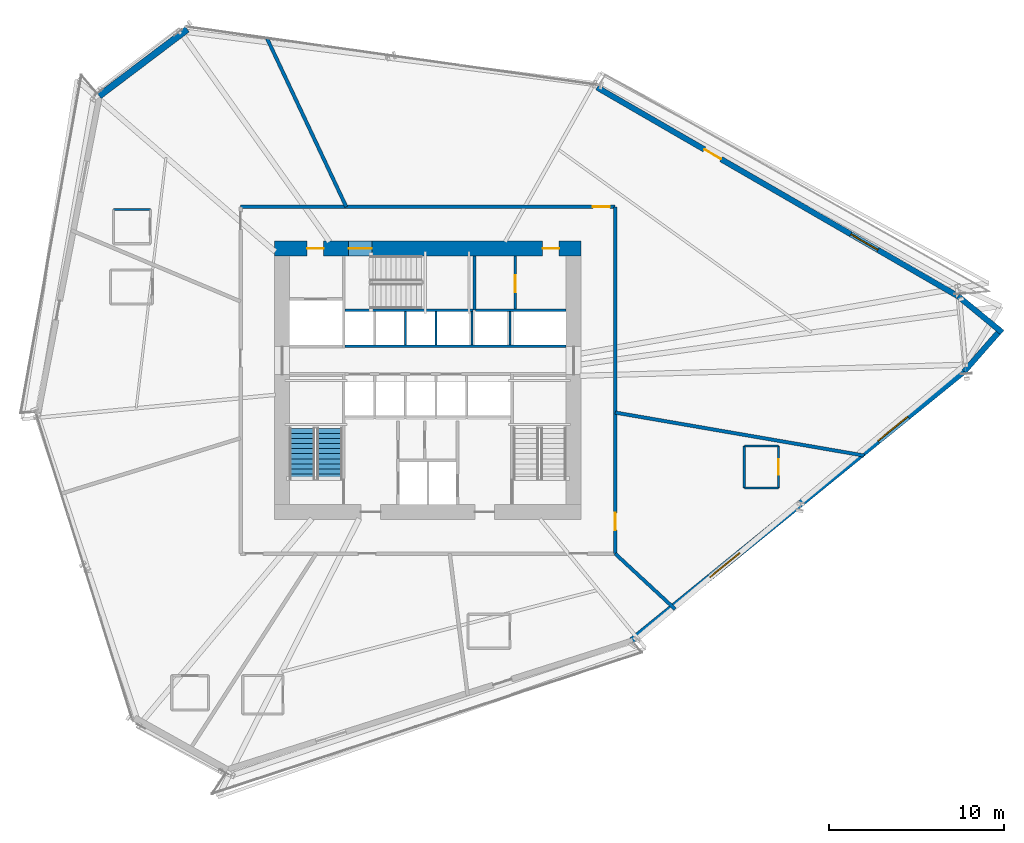
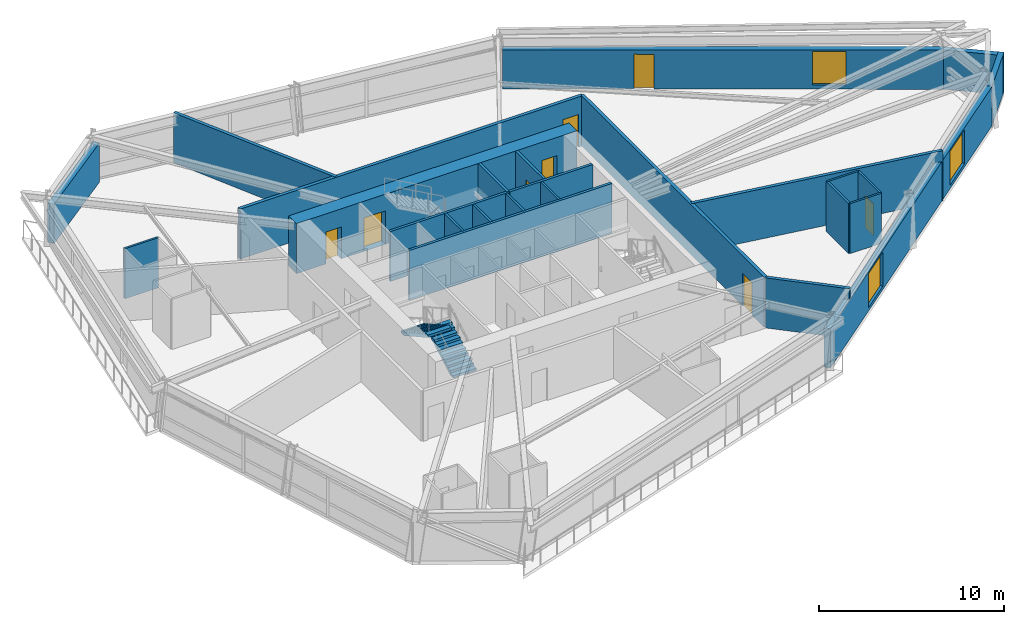
# One storey, part 17 of 21: 25 walls, 8 doors, 3 windows, 2 stair flights, 11 openings, 1 element without a shape of its own.
"""IFC4 building model written with IfcOpenShell, lengths in metres."""

from ifc_helpers import new_model, si_unit, direction, frame, frame_2d, origin, place, context, subcontext, project, spatial, polyline, rectangle, outline, extrude, source, transform, mapped, material, layer, layer_set, type_object, type_shapes, element, fill, aggregate, save


model = new_model("IFC4")

# Units and contexts
model_context = context("Model", 3, precision=1e-05, world=origin(), true_north=direction((0.0, 1.0)))
body_context = subcontext(model_context, "Body", "Model", "MODEL_VIEW")
ifc_project = project(units=[si_unit("LENGTHUNIT", "METRE"), si_unit("AREAUNIT", "SQUARE_METRE"), si_unit("VOLUMEUNIT", "CUBIC_METRE"), si_unit("PLANEANGLEUNIT", "RADIAN"), si_unit("MASSUNIT", "GRAM", prefix="KILO")], contexts=[model_context])

# Site, building, storey
site_placement = place(None, origin())
site = spatial("IfcSite", under=ifc_project, at=site_placement, CompositionType="ELEMENT")
building_placement = place(site_placement, origin())
building = spatial("IfcBuilding", under=site, at=building_placement, Name="Olszyna Solenne Hotel", CompositionType="ELEMENT")
storey_placement = place(building_placement, frame((0.0, 0.0, 54.14990234375)))
storey = spatial("IfcBuildingStorey", under=building, at=storey_placement, Name="L13", CompositionType="ELEMENT", Elevation=54.14990234375)

# Wall, openings, doors
ifc_material_1 = material(Name="Concrete C60/75", Category="concrete")
ifc_layer_1 = layer(ifc_material_1, 0.85009765625, Name="Concrete C60/75")
ifc_layer_set_1 = layer_set([ifc_layer_1], Name="Concrete C60/75")
wall_type_1 = type_object("IfcWallType", Name="WL-CR850", PredefinedType="SHEAR", material=ifc_layer_set_1)
wall_1_placement = place(storey_placement, frame((29.25, 34.125, 0.0), z_axis=(0.0, 0.0, 1.0), x_axis=(1.0, 0.0, 0.0)))
wall_1 = element("IfcWall", 1, at=wall_1_placement, inside=storey, type_object=wall_type_1, Name="Core shear wall WL-CR850 CRW-L13-N", PredefinedType="SHEAR", context=body_context, shape_type="SweptSolid", body=[
    extrude(rectangle(XDim=17.5, YDim=0.85009765625, at=frame_2d((8.75, 0.0))), origin(), (0.0, 0.0, 1.0), 3.300048828125),
])
opening_1_placement = place(wall_1_placement, frame((1.85009765625, 0.0, 0.0)))
opening_1 = element("IfcOpeningElement", 2, at=opening_1_placement, cuts=wall_1, Name="Opening SVD-L13-01", PredefinedType="OPENING", context=body_context, shape_type="SweptSolid", body=[
    extrude(rectangle(XDim=0.949951171875, YDim=2.10009765625, at=frame_2d((0.47509765625, 1.050048828125))), frame((0.0, 0.43505859375, 0.0), z_axis=(0.0, -1.0, 0.0), x_axis=(1.0, 0.0, 0.0)), (0.0, 0.0, 1.0), 0.8701171875),
])
opening_2_placement = place(wall_1_placement, frame((4.22998046875, 0.0, 0.0)))
opening_2 = element("IfcOpeningElement", 3, at=opening_2_placement, cuts=wall_1, Name="Opening STD-L13-03", PredefinedType="OPENING", context=body_context, shape_type="SweptSolid", body=[
    extrude(rectangle(XDim=1.320068359375, YDim=2.199951171875, at=frame_2d((0.66015625, 1.10009765625))), frame((0.0, 0.43505859375, 0.0), z_axis=(0.0, -1.0, 0.0), x_axis=(1.0, 0.0, 0.0)), (0.0, 0.0, 1.0), 0.8701171875),
])
opening_3_placement = place(wall_1_placement, frame((15.300048828125, 0.0, 0.0)))
opening_3 = element("IfcOpeningElement", 4, at=opening_3_placement, cuts=wall_1, Name="Opening SVD-L13-BN", PredefinedType="OPENING", context=body_context, shape_type="SweptSolid", body=[
    extrude(rectangle(XDim=0.949951171875, YDim=2.10009765625, at=frame_2d((0.47509765625, 1.050048828125))), frame((0.0, 0.43505859375, 0.0), z_axis=(0.0, -1.0, 0.0), x_axis=(1.0, 0.0, 0.0)), (0.0, 0.0, 1.0), 0.8701171875),
])
ifc_material_2 = material(Name="Steel S355J2", Category="steel")
door_type_1 = type_object("IfcDoorType", Name="DR-ST1", OperationType="NOTDEFINED", PredefinedType="DOOR", material=ifc_material_2)
shared_shape_1 = source(origin(), body_context, "Body", "SweptSolid", [
    extrude(rectangle(XDim=1.320068359375, YDim=2.199951171875, at=frame_2d((0.66015625, 1.10009765625))), frame((0.0, 0.02490234375, 0.0), z_axis=(0.0, -1.0, 0.0), x_axis=(1.0, 0.0, 0.0)), (0.0, 0.0, 1.0), 0.050048828125),
])
type_shapes(door_type_1, [shared_shape_1])
door_1_placement = place(opening_2_placement, origin())
door_1 = element("IfcDoor", 5, at=door_1_placement, inside=storey, type_object=door_type_1, Name="Pressurised exit stair ST3 fire door STD-L13-03", OperationType="SINGLE_SWING_RIGHT", OverallHeight=2.199951171875, OverallWidth=1.320068359375, PredefinedType="DOOR", context=body_context, shape_type="MappedRepresentation", body=[
    mapped(shared_shape_1, transform((0.0, 0.0, 0.0), x_axis=(1.0, 0.0, 0.0), y_axis=(0.0, 1.0, 0.0), z_axis=(0.0, 0.0, 1.0), scale=1.0)),
])
fill(opening_2, door_1)
door_type_2 = type_object("IfcDoorType", Name="DR-SV1", OperationType="NOTDEFINED", PredefinedType="DOOR", material=ifc_material_2)
shared_shape_2 = source(origin(), body_context, "Body", "SweptSolid", [
    extrude(rectangle(XDim=0.949951171875, YDim=2.10009765625, at=frame_2d((0.47509765625, 1.050048828125))), frame((0.0, 0.02490234375, 0.0), z_axis=(0.0, -1.0, 0.0), x_axis=(1.0, 0.0, 0.0)), (0.0, 0.0, 1.0), 0.050048828125),
])
type_shapes(door_type_2, [shared_shape_2])
door_2_placement = place(opening_1_placement, origin())
door_2 = element("IfcDoor", 6, at=door_2_placement, inside=storey, type_object=door_type_2, Name="Service lift lobby fire door SVD-L13-01", OperationType="SINGLE_SWING_LEFT", OverallHeight=2.10009765625, OverallWidth=0.949951171875, PredefinedType="DOOR", context=body_context, shape_type="MappedRepresentation", body=[
    mapped(shared_shape_2, transform((0.0, 0.0, 0.0), x_axis=(1.0, 0.0, 0.0), y_axis=(0.0, 1.0, 0.0), z_axis=(0.0, 0.0, 1.0), scale=1.0)),
])
fill(opening_1, door_2)
door_3_placement = place(opening_3_placement, origin())
door_3 = element("IfcDoor", 7, at=door_3_placement, inside=storey, type_object=door_type_2, Name="Housekeeping core fire door SVD-L13-BN", OperationType="SINGLE_SWING_LEFT", OverallHeight=2.10009765625, OverallWidth=0.949951171875, PredefinedType="DOOR", context=body_context, shape_type="MappedRepresentation", body=[
    mapped(shared_shape_2, transform((0.0, 0.0, 0.0), x_axis=(1.0, 0.0, 0.0), y_axis=(0.0, 1.0, 0.0), z_axis=(0.0, 0.0, 1.0), scale=1.0)),
])
fill(opening_3, door_3)

# Wall, openings, door, window
ifc_material_3 = material(Name="Precast concrete C45/55", Category="concrete")
ifc_layer_2 = layer(ifc_material_3, 0.320068359375, Name="Precast concrete C45/55")
ifc_layer_set_2 = layer_set([ifc_layer_2], Name="Precast concrete C45/55")
wall_type_2 = type_object("IfcWallType", Name="WL-EX320", PredefinedType="SOLIDWALL", material=ifc_layer_set_2)
wall_2_placement = place(storey_placement, frame((47.667724609375, 43.32080078125, 0.0), z_axis=(0.0, 0.0, 1.0), x_axis=(0.865638001519, -0.500670400888, 0.0)))
wall_2 = element("IfcWall", 8, at=wall_2_placement, inside=storey, type_object=wall_type_2, Name="Exterior terracotta-precast frame wall WL-EX320 EW-L13-07", PredefinedType="SOLIDWALL", context=body_context, shape_type="SweptSolid", body=[
    extrude(rectangle(XDim=23.834228515625, YDim=0.320068359375, at=frame_2d((11.9169921875, 0.0))), origin(), (0.0, 0.0, 1.0), 2.592041015625),
])
opening_4_placement = place(wall_2_placement, frame((7.076904296875, 0.0, 0.0)))
opening_4 = element("IfcOpeningElement", 9, at=opening_4_placement, cuts=wall_2, Name="Opening LDG-L13-1", PredefinedType="OPENING", context=body_context, shape_type="SweptSolid", body=[
    extrude(rectangle(XDim=1.10009765625, YDim=2.300048828125, at=frame_2d((0.550048828125, 1.14990234375))), frame((0.0, 0.169921875, 0.0), z_axis=(0.0, -1.0, 0.0), x_axis=(1.0, 0.0, 0.0)), (0.0, 0.0, 1.0), 0.340087890625),
])
opening_5_placement = place(wall_2_placement, frame((16.737060546875, 0.0, 0.27197265625)))
opening_5 = element("IfcOpeningElement", 10, at=opening_5_placement, cuts=wall_2, Name="Opening WN-L13-059", PredefinedType="OPENING", context=body_context, shape_type="SweptSolid", body=[
    extrude(rectangle(XDim=1.800048828125, YDim=2.199951171875, at=frame_2d((0.89990234375, 1.10009765625))), frame((0.0, 0.169921875, 0.0), z_axis=(0.0, -1.0, 0.0), x_axis=(1.0, 0.0, 0.0)), (0.0, 0.0, 1.0), 0.340087890625),
])
ifc_material_4 = material(Name="Anodised bronze aluminium", Category="aluminium")
door_type_3 = type_object("IfcDoorType", Name="DR-LG1", OperationType="NOTDEFINED", PredefinedType="DOOR", material=ifc_material_4)
shared_shape_3 = source(origin(), body_context, "Body", "SweptSolid", [
    extrude(rectangle(XDim=1.10009765625, YDim=2.300048828125, at=frame_2d((0.550048828125, 1.14990234375))), frame((0.0, 0.02490234375, 0.0), z_axis=(0.0, -1.0, 0.0), x_axis=(1.0, 0.0, 0.0)), (0.0, 0.0, 1.0), 0.050048828125),
])
type_shapes(door_type_3, [shared_shape_3])
door_4_placement = place(opening_4_placement, origin())
door_4 = element("IfcDoor", 11, at=door_4_placement, inside=storey, type_object=door_type_3, Name="Exterior loggia balcony door DR-LG1 LDG-L13-1", OperationType="SINGLE_SWING_LEFT", OverallHeight=2.300048828125, OverallWidth=1.10009765625, PredefinedType="DOOR", context=body_context, shape_type="MappedRepresentation", body=[
    mapped(shared_shape_3, transform((0.0, 0.0, 0.0), x_axis=(1.0, 0.0, 0.0), y_axis=(0.0, 1.0, 0.0), z_axis=(0.0, 0.0, 1.0), scale=1.0)),
])
fill(opening_4, door_4)
ifc_material_5 = material(Name="Low-E triple glazing", Category="glass")
window_type_1 = type_object("IfcWindowType", Name="WN-HT1", PartitioningType="SINGLE_PANEL", PredefinedType="WINDOW", material=ifc_material_5)
shared_shape_4 = source(origin(), body_context, "Body", "SweptSolid", [
    extrude(rectangle(XDim=1.800048828125, YDim=2.199951171875, at=frame_2d((0.89990234375, 1.10009765625))), frame((0.0, 0.030029296875, 0.0), z_axis=(0.0, -1.0, 0.0), x_axis=(1.0, 0.0, 0.0)), (0.0, 0.0, 1.0), 0.06005859375),
])
type_shapes(window_type_1, [shared_shape_4])
window_1_placement = place(opening_5_placement, origin())
window_1 = element("IfcWindow", 12, at=window_1_placement, inside=storey, type_object=window_type_1, Name="Loggia room window WN-HT1 WN-L13-059", OverallHeight=2.199951171875, OverallWidth=1.800048828125, PartitioningType="SINGLE_PANEL", PredefinedType="WINDOW", context=body_context, shape_type="MappedRepresentation", body=[
    mapped(shared_shape_4, transform((0.0, 0.0, 0.0), x_axis=(1.0, 0.0, 0.0), y_axis=(0.0, 1.0, 0.0), z_axis=(0.0, 0.0, 1.0), scale=1.0)),
])
fill(opening_5, window_1)

# Walls
for number, where, z_axis, x_axis, name in (
    (13, (68.27783203125, 31.402587890625, 0.0), (0.0, 0.0, 1.0), (0.772169227006, -0.635416937817, 0.0), "Exterior terracotta-precast frame wall WL-EX320 EW-L13-08"),
    (14, (70.7861328125, 29.55224609375, 0.0), (0.0, 0.0, 1.0), (-0.659296523032, -0.751883032604, 0.0), "Exterior terracotta-precast frame wall WL-EX320 EW-L13-09"),
):
    element("IfcWall", number, at=place(storey_placement, frame(where, z_axis=z_axis, x_axis=x_axis)), inside=storey, type_object=wall_type_2, Name=name, PredefinedType="SOLIDWALL", context=body_context, shape_type="SweptSolid", body=[
        extrude(rectangle(XDim=3.2724609375, YDim=0.320068359375, at=frame_2d((1.63623046875, 0.0))), origin(), (0.0, 0.0, 1.0), 2.592041015625),
    ])
ifc_material_6 = material(Name="Terracotta cladding on precast concrete C45/55", Category="masonry")
ifc_layer_3 = layer(ifc_material_6, 0.3798828125, Name="Terracotta cladding on precast concrete C45/55")
ifc_layer_set_3 = layer_set([ifc_layer_3], Name="Terracotta cladding on precast concrete C45/55")
wall_type_3 = type_object("IfcWallType", Name="WL-EX380", PredefinedType="SOLIDWALL", material=ifc_layer_set_3)
wall_3_placement = place(storey_placement, frame((19.228271484375, 42.836669921875, 0.0), z_axis=(0.0, 0.0, 1.0), x_axis=(0.797566297219, 0.6032313002, 0.0)))
element("IfcWall", 15, at=wall_3_placement, inside=storey, type_object=wall_type_3, Name="Exterior terracotta-precast frame wall WL-EX380 EW-L13-05", PredefinedType="SOLIDWALL", context=body_context, shape_type="SweptSolid", body=[
    extrude(rectangle(XDim=6.312744140625, YDim=0.3798828125, at=frame_2d((3.15625, 0.0))), origin(), (0.0, 0.0, 1.0), 2.592041015625),
])

# Wall, openings, windows
wall_4_placement = place(storey_placement, frame((68.62939453125, 27.1337890625, 0.0), z_axis=(0.0, 0.0, 1.0), x_axis=(-0.7764202155, -0.630215557538, 0.0)))
wall_4 = element("IfcWall", 16, at=wall_4_placement, inside=storey, type_object=wall_type_3, Name="Exterior terracotta-precast frame wall WL-EX380 EW-L13-10", PredefinedType="SOLIDWALL", context=body_context, shape_type="SweptSolid", body=[
    extrude(rectangle(XDim=24.453369140625, YDim=0.3798828125, at=frame_2d((12.2265625, 0.0))), origin(), (0.0, 0.0, 1.0), 2.592041015625),
])
opening_6_placement = place(wall_4_placement, frame((4.14697265625, 0.0, 0.221923828125)))
opening_6 = element("IfcOpeningElement", 17, at=opening_6_placement, cuts=wall_4, Name="Opening WN-L13-060", PredefinedType="OPENING", context=body_context, shape_type="SweptSolid", body=[
    extrude(rectangle(XDim=2.199951171875, YDim=2.25, at=frame_2d((1.10009765625, 1.125))), frame((0.0, 0.199951171875, 0.0), z_axis=(0.0, -1.0, 0.0), x_axis=(1.0, 0.0, 0.0)), (0.0, 0.0, 1.0), 0.39990234375),
])
opening_7_placement = place(wall_4_placement, frame((16.506103515625, 0.0, 0.221923828125)))
opening_7 = element("IfcOpeningElement", 18, at=opening_7_placement, cuts=wall_4, Name="Opening WN-L13-061", PredefinedType="OPENING", context=body_context, shape_type="SweptSolid", body=[
    extrude(rectangle(XDim=2.199951171875, YDim=2.25, at=frame_2d((1.10009765625, 1.125))), frame((0.0, 0.199951171875, 0.0), z_axis=(0.0, -1.0, 0.0), x_axis=(1.0, 0.0, 0.0)), (0.0, 0.0, 1.0), 0.39990234375),
])
window_type_2 = type_object("IfcWindowType", Name="WN-HT2", PartitioningType="SINGLE_PANEL", PredefinedType="WINDOW", material=ifc_material_5)
shared_shape_5 = source(origin(), body_context, "Body", "SweptSolid", [
    extrude(rectangle(XDim=2.199951171875, YDim=2.25, at=frame_2d((1.10009765625, 1.125))), frame((0.0, 0.030029296875, 0.0), z_axis=(0.0, -1.0, 0.0), x_axis=(1.0, 0.0, 0.0)), (0.0, 0.0, 1.0), 0.06005859375),
])
type_shapes(window_type_2, [shared_shape_5])
window_2_placement = place(opening_6_placement, origin())
window_2 = element("IfcWindow", 19, at=window_2_placement, inside=storey, type_object=window_type_2, Name="Exterior facade window WN-HT2 WN-L13-060", OverallHeight=2.25, OverallWidth=2.199951171875, PartitioningType="SINGLE_PANEL", PredefinedType="WINDOW", context=body_context, shape_type="MappedRepresentation", body=[
    mapped(shared_shape_5, transform((0.0, 0.0, 0.0), x_axis=(1.0, 0.0, 0.0), y_axis=(0.0, 1.0, 0.0), z_axis=(0.0, 0.0, 1.0), scale=1.0)),
])
fill(opening_6, window_2)
window_3_placement = place(opening_7_placement, origin())
window_3 = element("IfcWindow", 20, at=window_3_placement, inside=storey, type_object=window_type_2, Name="Exterior facade window WN-HT2 WN-L13-061", OverallHeight=2.25, OverallWidth=2.199951171875, PartitioningType="SINGLE_PANEL", PredefinedType="WINDOW", context=body_context, shape_type="MappedRepresentation", body=[
    mapped(shared_shape_5, transform((0.0, 0.0, 0.0), x_axis=(1.0, 0.0, 0.0), y_axis=(0.0, 1.0, 0.0), z_axis=(0.0, 0.0, 1.0), scale=1.0)),
])
fill(opening_7, window_3)

# Walls
ifc_material_7 = material(Name="Acoustic gypsum partition", Category="gypsum")
ifc_layer_4 = layer(ifc_material_7, 0.125, Name="Acoustic gypsum partition")
ifc_layer_set_4 = layer_set([ifc_layer_4], Name="Acoustic gypsum partition")
wall_type_4 = type_object("IfcWallType", Name="WL-PT125", PredefinedType="PARTITIONING", material=ifc_layer_set_4)
for number, where, z_axis, x_axis, name in (
    (21, (36.715087890625, 28.60009765625, 0.0), (0.0, 0.0, 1.0), (0.0, 1.0, 0.0), "Core shaft compartment wall CW-L13-DIVN367"),
    (22, (38.465087890625, 28.60009765625, 0.0), (0.0, 0.0, 1.0), (0.0, 1.0, 0.0), "Core shaft compartment wall CW-L13-DIVN384"),
    (23, (40.52490234375, 28.60009765625, 0.0), (0.0, 0.0, 1.0), (0.0, 1.0, 0.0), "Core shaft compartment wall CW-L13-DIVEX405"),
    (24, (42.699951171875, 28.60009765625, 0.0), (0.0, 0.0, 1.0), (0.0, 1.0, 0.0), "Core shaft compartment wall CW-L13-DIVEX427"),
):
    element("IfcWall", number, at=place(storey_placement, frame(where, z_axis=z_axis, x_axis=x_axis)), inside=storey, type_object=wall_type_4, Name=name, PredefinedType="PARTITIONING", context=body_context, shape_type="SweptSolid", body=[
        extrude(rectangle(XDim=1.919921875, YDim=0.125, at=frame_2d((0.9599609375, 0.0))), origin(), (0.0, 0.0, 1.0), 3.300048828125),
    ])
wall_5_placement = place(storey_placement, frame((22.153076171875, 36.343017578125, 0.0), z_axis=(0.0, 0.0, 1.0), x_axis=(-1.0, 0.0, 0.0)))
element("IfcWall", 25, at=wall_5_placement, inside=storey, type_object=wall_type_4, Name="Interior acoustic partition WL-PT125 PW-L13-0717", PredefinedType="PARTITIONING", context=body_context, shape_type="SweptSolid", body=[
    extrude(rectangle(XDim=2.10009765625, YDim=0.125, at=frame_2d((1.050048828125, 0.0))), origin(), (0.0, 0.0, 1.0), 3.300048828125),
])

# Wall, opening, door
wall_6_placement = place(storey_placement, frame((58.02587890625, 20.445068359375, 0.0), z_axis=(0.0, 0.0, 1.0), x_axis=(0.0, 1.0, 0.0)))
wall_6 = element("IfcWall", 26, at=wall_6_placement, inside=storey, type_object=wall_type_4, Name="Interior acoustic partition WL-PT125 PW-L13-0736", PredefinedType="PARTITIONING", context=body_context, shape_type="SweptSolid", body=[
    extrude(rectangle(XDim=2.39990234375, YDim=0.125, at=frame_2d((1.199951171875, 0.0))), origin(), (0.0, 0.0, 1.0), 3.300048828125),
])
opening_8_placement = place(wall_6_placement, frame((0.75, 0.0, 0.0)))
opening_8 = element("IfcOpeningElement", 27, at=opening_8_placement, cuts=wall_6, Name="Opening DR-L13-0161", PredefinedType="OPENING", context=body_context, shape_type="SweptSolid", body=[
    extrude(rectangle(XDim=0.89990234375, YDim=2.10009765625, at=frame_2d((0.449951171875, 1.050048828125))), frame((0.0, 0.072509765625, 0.0), z_axis=(0.0, -1.0, 0.0), x_axis=(1.0, 0.0, 0.0)), (0.0, 0.0, 1.0), 0.14501953125),
])
ifc_material_8 = material(Name="Timber hardwood", Category="wood")
door_type_4 = type_object("IfcDoorType", Name="DR-WC1", OperationType="NOTDEFINED", PredefinedType="DOOR", material=ifc_material_8)
shared_shape_6 = source(origin(), body_context, "Body", "SweptSolid", [
    extrude(rectangle(XDim=0.89990234375, YDim=2.10009765625, at=frame_2d((0.449951171875, 1.050048828125))), frame((0.0, 0.02490234375, 0.0), z_axis=(0.0, -1.0, 0.0), x_axis=(1.0, 0.0, 0.0)), (0.0, 0.0, 1.0), 0.050048828125),
])
type_shapes(door_type_4, [shared_shape_6])
door_5_placement = place(opening_8_placement, origin())
door_5 = element("IfcDoor", 28, at=door_5_placement, inside=storey, type_object=door_type_4, Name="En-Suite Bathroom Door DR-L13-0161", OperationType="SINGLE_SWING_RIGHT", OverallHeight=2.10009765625, OverallWidth=0.89990234375, PredefinedType="DOOR", context=body_context, shape_type="MappedRepresentation", body=[
    mapped(shared_shape_6, transform((0.0, 0.0, 0.0), x_axis=(1.0, 0.0, 0.0), y_axis=(0.0, 1.0, 0.0), z_axis=(0.0, 0.0, 1.0), scale=1.0)),
])
fill(opening_8, door_5)

# Walls
wall_7_placement = place(storey_placement, frame((58.02587890625, 22.844970703125, 0.0), z_axis=(0.0, 0.0, 1.0), x_axis=(-1.0, 0.0, 0.0)))
element("IfcWall", 29, at=wall_7_placement, inside=storey, type_object=wall_type_4, Name="Interior acoustic partition WL-PT125 PW-L13-0737", PredefinedType="PARTITIONING", context=body_context, shape_type="SweptSolid", body=[
    extrude(rectangle(XDim=1.949951171875, YDim=0.125, at=frame_2d((0.97509765625, 0.0))), origin(), (0.0, 0.0, 1.0), 3.300048828125),
])
wall_8_placement = place(storey_placement, frame((56.075927734375, 22.844970703125, 0.0), z_axis=(0.0, 0.0, 1.0), x_axis=(0.0, -1.0, 0.0)))
element("IfcWall", 30, at=wall_8_placement, inside=storey, type_object=wall_type_4, Name="Interior acoustic partition WL-PT125 PW-L13-0738", PredefinedType="PARTITIONING", context=body_context, shape_type="SweptSolid", body=[
    extrude(rectangle(XDim=2.39990234375, YDim=0.125, at=frame_2d((1.199951171875, 0.0))), origin(), (0.0, 0.0, 1.0), 3.300048828125),
])
wall_9_placement = place(storey_placement, frame((56.075927734375, 20.445068359375, 0.0), z_axis=(0.0, 0.0, 1.0), x_axis=(1.0, 0.0, 0.0)))
element("IfcWall", 31, at=wall_9_placement, inside=storey, type_object=wall_type_4, Name="Interior acoustic partition WL-PT125 PW-L13-0739", PredefinedType="PARTITIONING", context=body_context, shape_type="SweptSolid", body=[
    extrude(rectangle(XDim=1.949951171875, YDim=0.125, at=frame_2d((0.97509765625, 0.0))), origin(), (0.0, 0.0, 1.0), 3.300048828125),
])
ifc_layer_5 = layer(ifc_material_7, 0.159912109375, Name="Acoustic gypsum partition")
ifc_layer_set_5 = layer_set([ifc_layer_5], Name="Acoustic gypsum partition")
wall_type_5 = type_object("IfcWallType", Name="WL-PT160", PredefinedType="PARTITIONING", material=ifc_layer_set_5)
wall_10_placement = place(storey_placement, frame((33.280029296875, 30.60009765625, 0.0), z_axis=(0.0, 0.0, 1.0), x_axis=(1.0, 0.0, 0.0)))
element("IfcWall", 32, at=wall_10_placement, inside=storey, type_object=wall_type_5, Name="Core shaft compartment wall CW-L13-ST3S", PredefinedType="PARTITIONING", context=body_context, shape_type="SweptSolid", body=[
    extrude(rectangle(XDim=7.300048828125, YDim=0.159912109375, at=frame_2d((3.64990234375, 0.0))), origin(), (0.0, 0.0, 1.0), 3.300048828125),
])
wall_11_placement = place(storey_placement, frame((40.659912109375, 30.60009765625, 0.0), z_axis=(0.0, 0.0, 1.0), x_axis=(0.0, 1.0, 0.0)))
element("IfcWall", 33, at=wall_11_placement, inside=storey, type_object=wall_type_5, Name="Core shaft compartment wall CW-L13-ST3E", PredefinedType="PARTITIONING", context=body_context, shape_type="SweptSolid", body=[
    extrude(rectangle(XDim=3.099853515625, YDim=0.159912109375, at=frame_2d((1.5498046875, 0.0))), origin(), (0.0, 0.0, 1.0), 3.300048828125),
])
wall_12_placement = place(storey_placement, frame((33.280029296875, 28.5400390625, 0.0), z_axis=(0.0, 0.0, 1.0), x_axis=(1.0, 0.0, 0.0)))
element("IfcWall", 34, at=wall_12_placement, inside=storey, type_object=wall_type_5, Name="Core shaft compartment wall CW-L13-LRN", PredefinedType="PARTITIONING", context=body_context, shape_type="SweptSolid", body=[
    extrude(rectangle(XDim=12.619873046875, YDim=0.159912109375, at=frame_2d((6.31005859375, 0.0))), origin(), (0.0, 0.0, 1.0), 3.300048828125),
])
wall_13_placement = place(storey_placement, frame((40.719970703125, 30.60009765625, 0.0), z_axis=(0.0, 0.0, 1.0), x_axis=(1.0, 0.0, 0.0)))
element("IfcWall", 35, at=wall_13_placement, inside=storey, type_object=wall_type_5, Name="Core shaft compartment wall CW-L13-LRNTOP", PredefinedType="PARTITIONING", context=body_context, shape_type="SweptSolid", body=[
    extrude(rectangle(XDim=5.179931640625, YDim=0.159912109375, at=frame_2d((2.58984375, 0.0))), origin(), (0.0, 0.0, 1.0), 3.300048828125),
])

# Wall, opening, door
wall_14_placement = place(storey_placement, frame((42.989990234375, 30.679931640625, 0.0), z_axis=(0.0, 0.0, 1.0), x_axis=(0.0, 1.0, 0.0)))
wall_14 = element("IfcWall", 36, at=wall_14_placement, inside=storey, type_object=wall_type_5, Name="Core shaft compartment wall CW-L13-BOH1", PredefinedType="PARTITIONING", context=body_context, shape_type="SweptSolid", body=[
    extrude(rectangle(XDim=3.02001953125, YDim=0.159912109375, at=frame_2d((1.510009765625, 0.0))), origin(), (0.0, 0.0, 1.0), 3.300048828125),
])
opening_9_placement = place(wall_14_placement, frame((0.949951171875, 0.0, 0.0)))
opening_9 = element("IfcOpeningElement", 37, at=opening_9_placement, cuts=wall_14, Name="Opening SVD-L13-BI1", PredefinedType="OPENING", context=body_context, shape_type="SweptSolid", body=[
    extrude(rectangle(XDim=0.949951171875, YDim=2.10009765625, at=frame_2d((0.47509765625, 1.050048828125))), frame((0.0, 0.08984375, 0.0), z_axis=(0.0, -1.0, 0.0), x_axis=(1.0, 0.0, 0.0)), (0.0, 0.0, 1.0), 0.179931640625),
])
door_6_placement = place(opening_9_placement, origin())
door_6 = element("IfcDoor", 38, at=door_6_placement, inside=storey, type_object=door_type_2, Name="BOH inter-room fire door SVD-L13-BI1", OperationType="SINGLE_SWING_LEFT", OverallHeight=2.10009765625, OverallWidth=0.949951171875, PredefinedType="DOOR", context=body_context, shape_type="MappedRepresentation", body=[
    mapped(shared_shape_2, transform((0.0, 0.0, 0.0), x_axis=(1.0, 0.0, 0.0), y_axis=(0.0, 1.0, 0.0), z_axis=(0.0, 0.0, 1.0), scale=1.0)),
])
fill(opening_9, door_6)

# Walls
ifc_layer_6 = layer(ifc_material_7, 0.199951171875, Name="Acoustic gypsum partition")
ifc_layer_set_6 = layer_set([ifc_layer_6], Name="Acoustic gypsum partition")
wall_type_6 = type_object("IfcWallType", Name="WL-PT200", PredefinedType="PARTITIONING", material=ifc_layer_set_6)
wall_15_placement = place(storey_placement, frame((48.699951171875, 24.751708984375, 0.0), z_axis=(0.0, 0.0, 1.0), x_axis=(0.985408012734, -0.170208837727, 0.0)))
element("IfcWall", 39, at=wall_15_placement, inside=storey, type_object=wall_type_6, Name="Interior acoustic partition WL-PT200 PW-L13-0709", PredefinedType="PARTITIONING", context=body_context, shape_type="SweptSolid", body=[
    extrude(rectangle(XDim=14.4326171875, YDim=0.199951171875, at=frame_2d((7.21630859375, 0.0))), origin(), (0.0, 0.0, 1.0), 3.300048828125),
])
wall_16_placement = place(storey_placement, frame((33.34130859375, 36.5, 0.0), z_axis=(0.0, 0.0, 1.0), x_axis=(-0.425771561882, 0.904830689738, 0.0)))
element("IfcWall", 40, at=wall_16_placement, inside=storey, type_object=wall_type_6, Name="Interior acoustic partition WL-PT200 PW-L13-0710", PredefinedType="PARTITIONING", context=body_context, shape_type="SweptSolid", body=[
    extrude(rectangle(XDim=10.615478515625, YDim=0.199951171875, at=frame_2d((5.3076171875, 0.0))), origin(), (0.0, 0.0, 1.0), 3.300048828125),
])
wall_17_placement = place(storey_placement, frame((48.69091796875, 16.699951171875, 0.0), z_axis=(0.0, 0.0, 1.0), x_axis=(0.733736548666, -0.679434085951, 0.0)))
element("IfcWall", 41, at=wall_17_placement, inside=storey, type_object=wall_type_6, Name="Interior acoustic partition WL-PT200 PW-L13-0715", PredefinedType="PARTITIONING", context=body_context, shape_type="SweptSolid", body=[
    extrude(rectangle(XDim=4.67138671875, YDim=0.199951171875, at=frame_2d((2.335693359375, 0.0))), origin(), (0.0, 0.0, 1.0), 3.300048828125),
])

# Wall, opening, door
wall_18_placement = place(storey_placement, frame((27.300048828125, 36.5, 0.0), z_axis=(0.0, 0.0, 1.0), x_axis=(1.0, 0.0, 0.0)))
wall_18 = element("IfcWall", 42, at=wall_18_placement, inside=storey, type_object=wall_type_6, Name="Interior acoustic partition WL-PT200 PW-L13-0742", PredefinedType="PARTITIONING", context=body_context, shape_type="SweptSolid", body=[
    extrude(rectangle(XDim=21.39990234375, YDim=0.199951171875, at=frame_2d((10.699951171875, 0.0))), origin(), (0.0, 0.0, 1.0), 3.300048828125),
])
opening_10_placement = place(wall_18_placement, frame((20.1201171875, 0.0, 0.0)))
opening_10 = element("IfcOpeningElement", 43, at=opening_10_placement, cuts=wall_18, Name="Opening DR-L13-0167", PredefinedType="OPENING", context=body_context, shape_type="SweptSolid", body=[
    extrude(rectangle(XDim=0.97998046875, YDim=2.14990234375, at=frame_2d((0.489990234375, 1.074951171875))), frame((0.0, 0.10986328125, 0.0), z_axis=(0.0, -1.0, 0.0), x_axis=(1.0, 0.0, 0.0)), (0.0, 0.0, 1.0), 0.219970703125),
])
door_type_5 = type_object("IfcDoorType", Name="DR-RM1", OperationType="NOTDEFINED", PredefinedType="DOOR", material=ifc_material_8)
shared_shape_7 = source(origin(), body_context, "Body", "SweptSolid", [
    extrude(rectangle(XDim=0.97998046875, YDim=2.14990234375, at=frame_2d((0.489990234375, 1.074951171875))), frame((0.0, 0.02490234375, 0.0), z_axis=(0.0, -1.0, 0.0), x_axis=(1.0, 0.0, 0.0)), (0.0, 0.0, 1.0), 0.050048828125),
])
type_shapes(door_type_5, [shared_shape_7])
door_7_placement = place(opening_10_placement, origin())
door_7 = element("IfcDoor", 44, at=door_7_placement, inside=storey, type_object=door_type_5, Name="Breakfast Tasting Salon Entrance Door DR-L13-0167", OperationType="SINGLE_SWING_RIGHT", OverallHeight=2.14990234375, OverallWidth=0.97998046875, PredefinedType="DOOR", context=body_context, shape_type="MappedRepresentation", body=[
    mapped(shared_shape_7, transform((0.0, 0.0, 0.0), x_axis=(1.0, 0.0, 0.0), y_axis=(0.0, 1.0, 0.0), z_axis=(0.0, 0.0, 1.0), scale=1.0)),
])
fill(opening_10, door_7)

wall_19_placement = place(storey_placement, frame((48.699951171875, 16.699951171875, 0.0), z_axis=(0.0, 0.0, 1.0), x_axis=(0.0, 1.0, 0.0)))
wall_19 = element("IfcWall", 45, at=wall_19_placement, inside=storey, type_object=wall_type_6, Name="Interior acoustic partition WL-PT200 PW-L13-0743", PredefinedType="PARTITIONING", context=body_context, shape_type="SweptSolid", body=[
    extrude(rectangle(XDim=19.800048828125, YDim=0.199951171875, at=frame_2d((9.89990234375, 0.0))), origin(), (0.0, 0.0, 1.0), 3.300048828125),
])
opening_11_placement = place(wall_19_placement, frame((1.342041015625, 0.0, 0.0)))
opening_11 = element("IfcOpeningElement", 46, at=opening_11_placement, cuts=wall_19, Name="Opening DR-L13-0168", PredefinedType="OPENING", context=body_context, shape_type="SweptSolid", body=[
    extrude(rectangle(XDim=0.97998046875, YDim=2.14990234375, at=frame_2d((0.489990234375, 1.074951171875))), frame((0.0, 0.10986328125, 0.0), z_axis=(0.0, -1.0, 0.0), x_axis=(1.0, 0.0, 0.0)), (0.0, 0.0, 1.0), 0.219970703125),
])
door_8_placement = place(opening_11_placement, origin())
door_8 = element("IfcDoor", 47, at=door_8_placement, inside=storey, type_object=door_type_5, Name="Executive Reading Salon Entrance Door DR-L13-0168", OperationType="SINGLE_SWING_RIGHT", OverallHeight=2.14990234375, OverallWidth=0.97998046875, PredefinedType="DOOR", context=body_context, shape_type="MappedRepresentation", body=[
    mapped(shared_shape_7, transform((0.0, 0.0, 0.0), x_axis=(1.0, 0.0, 0.0), y_axis=(0.0, 1.0, 0.0), z_axis=(0.0, 0.0, 1.0), scale=1.0)),
])
fill(opening_11, door_8)

# Stair, stair flights
ifc_material_9 = material(Name="Concrete C40/50", Category="concrete")
stair_type = type_object("IfcStairType", Name="STR-C1", PredefinedType="TWO_QUARTER_WINDING_STAIR", material=ifc_material_9)
stair_placement = place(storey_placement, origin())
stair = element("IfcStair", 48, at=stair_placement, inside=storey, type_object=stair_type, Name="L13 ST1", PredefinedType="TWO_QUARTER_WINDING_STAIR")
stair_flight_type = type_object("IfcStairFlightType", Name="FLT-C1", PredefinedType="STRAIGHT", material=ifc_material_9)
stair_flight_1_placement = place(storey_placement, frame((32.39501953125, 20.949951171875, 0.0), z_axis=(0.0, 0.0, 1.0), x_axis=(0.0, 1.0, 0.0)))
stair_flight_1 = element("IfcStairFlight", 49, at=stair_flight_1_placement, type_object=stair_flight_type, Name="ST1 flight 1", NumberOfRisers=11, NumberOfTreads=10, PredefinedType="STRAIGHT", RiserHeight=0.161363636, TreadLength=0.29, context=body_context, shape_type="SweptSolid", body=[
    extrude(outline(polyline([(0.0, 0.0), (0.0, 0.161376953125), (0.2900390625, 0.161376953125), (0.2900390625, 0.32275390625), (0.580078125, 0.32275390625), (0.580078125, 0.484130859375), (0.8701171875, 0.484130859375), (0.8701171875, 0.6455078125), (1.159912109375, 0.6455078125), (1.159912109375, 0.806884765625), (1.449951171875, 0.806884765625), (1.449951171875, 0.96826171875), (1.739990234375, 0.96826171875), (1.739990234375, 1.129638671875), (2.030029296875, 1.129638671875), (2.030029296875, 1.291015625), (2.320068359375, 1.291015625), (2.320068359375, 1.452392578125), (2.610107421875, 1.452392578125), (2.610107421875, 1.613525390625), (2.89990234375, 1.613525390625), (2.89990234375, 1.77490234375), (2.89990234375, 1.442138671875), (0.308349609375, 0.0), (0.0, 0.0)])), frame((0.0, 0.72509765625, 0.0), z_axis=(0.0, -1.0, 0.0), x_axis=(1.0, 0.0, 0.0)), (0.0, 0.0, 1.0), 1.449951171875),
])
stair_flight_2_placement = place(storey_placement, frame((30.824951171875, 23.85009765625, 1.775146484375), z_axis=(0.0, 0.0, 1.0), x_axis=(0.0, -1.0, 0.0)))
stair_flight_2 = element("IfcStairFlight", 50, at=stair_flight_2_placement, type_object=stair_flight_type, Name="ST1 flight 2", NumberOfRisers=11, NumberOfTreads=10, PredefinedType="STRAIGHT", RiserHeight=0.161363636, TreadLength=0.29, context=body_context, shape_type="SweptSolid", body=[
    extrude(outline(polyline([(0.0, 0.0), (0.0, 0.161376953125), (0.2900390625, 0.161376953125), (0.2900390625, 0.32275390625), (0.580078125, 0.32275390625), (0.580078125, 0.484130859375), (0.8701171875, 0.484130859375), (0.8701171875, 0.6455078125), (1.159912109375, 0.6455078125), (1.159912109375, 0.806884765625), (1.449951171875, 0.806884765625), (1.449951171875, 0.96826171875), (1.739990234375, 0.96826171875), (1.739990234375, 1.129638671875), (2.030029296875, 1.129638671875), (2.030029296875, 1.291015625), (2.320068359375, 1.291015625), (2.320068359375, 1.452392578125), (2.610107421875, 1.452392578125), (2.610107421875, 1.613525390625), (2.89990234375, 1.613525390625), (2.89990234375, 1.77490234375), (2.89990234375, 1.442138671875), (0.308349609375, 0.0), (0.0, 0.0)])), frame((0.0, 0.72509765625, 0.0), z_axis=(0.0, -1.0, 0.0), x_axis=(1.0, 0.0, 0.0)), (0.0, 0.0, 1.0), 1.449951171875),
])
aggregate(stair, [stair_flight_1, stair_flight_2])

save(model, "model.ifc")
